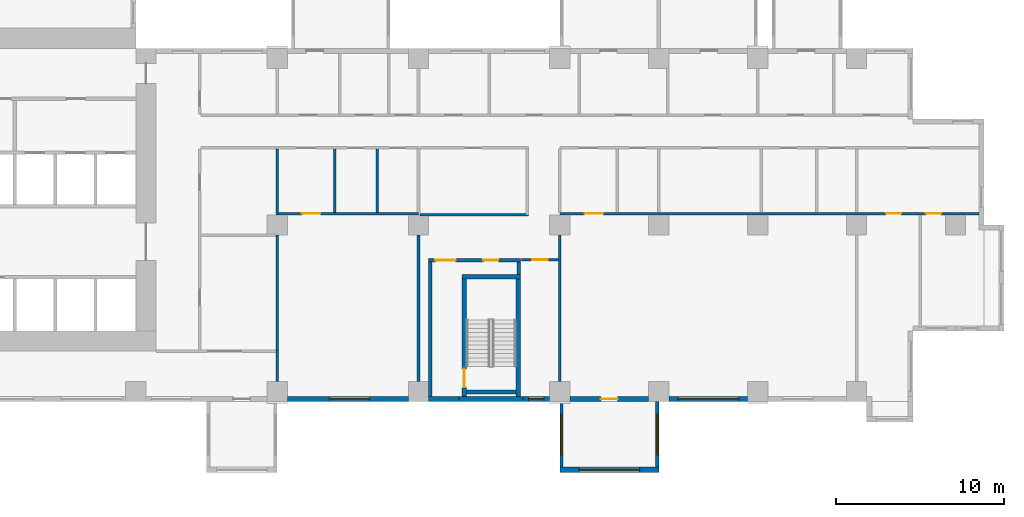
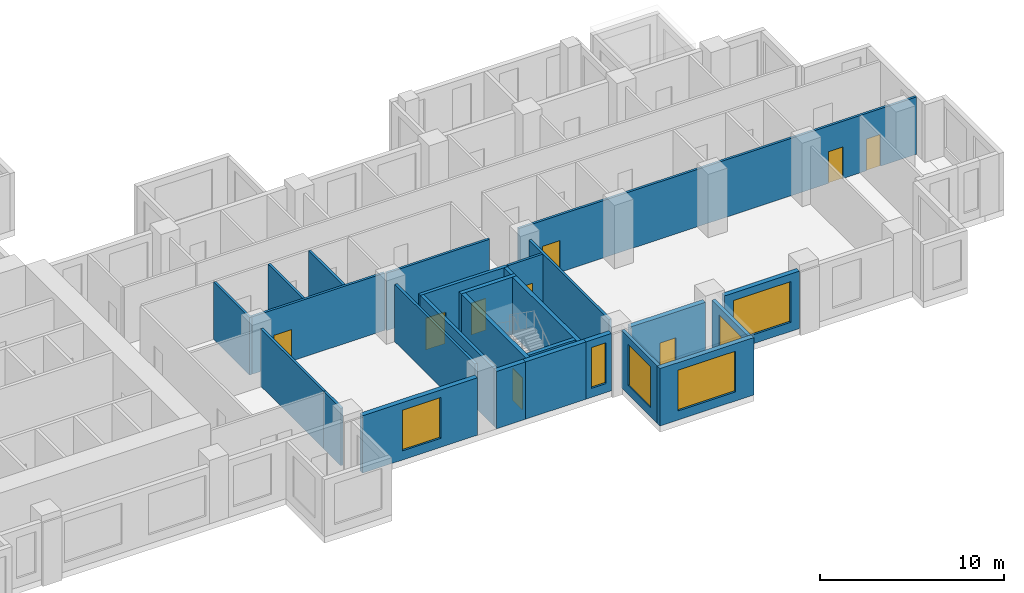
# One storey, part 4 of 14: 27 walls, 9 doors, 6 windows, 15 openings.
"""IFC4 building model written with IfcOpenShell, lengths in metres."""

from ifc_helpers import new_model, si_unit, direction, frame, frame_2d, origin, place, context, subcontext, project, spatial, rectangle, extrude, source, transform, mapped, material, layer, layer_set, type_object, element, fill, save


model = new_model("IFC4")

# Units and contexts
model_context = context("Model", 3, precision=1e-05, world=origin(), true_north=direction((0.0, 1.0)))
body_context = subcontext(model_context, "Body", "Model", "MODEL_VIEW")
ifc_project = project(units=[si_unit("LENGTHUNIT", "METRE"), si_unit("AREAUNIT", "SQUARE_METRE"), si_unit("VOLUMEUNIT", "CUBIC_METRE"), si_unit("PLANEANGLEUNIT", "RADIAN"), si_unit("MASSUNIT", "GRAM", prefix="KILO")], contexts=[model_context])

# Site, building, storey
site_placement = place(None, origin())
site = spatial("IfcSite", under=ifc_project, at=site_placement, CompositionType="ELEMENT")
building_placement = place(site_placement, origin())
building = spatial("IfcBuilding", under=site, at=building_placement, Name="Aurelian Terraces", CompositionType="ELEMENT")
storey_placement = place(building_placement, frame((0.0, 0.0, 78.3)))
storey = spatial("IfcBuildingStorey", under=building, at=storey_placement, Name="L16", CompositionType="ELEMENT", Elevation=78.3)

# Wall, opening, window
ifc_material_1 = material(Name="Terracotta rainscreen cladding", Category="masonry")
ifc_layer_1 = layer(ifc_material_1, 0.3)
ifc_layer_set_1 = layer_set([ifc_layer_1], Name="EW-300")
wall_type_1 = type_object("IfcWallType", Name="EW-300", PredefinedType="STANDARD", material=ifc_layer_set_1)
shared_shape_1 = source(origin(), body_context, "Body", "SweptSolid", [
    extrude(rectangle(XDim=7.2, YDim=0.3, at=frame_2d((3.6, 0.0))), origin(), (0.0, 0.0, 1.0), 3.8),
])
wall_1_placement = place(storey_placement, frame((30.0, 0.15, 0.0), z_axis=(0.0, 0.0, 1.0), x_axis=(1.0, 0.0, 0.0)))
wall_1 = element("IfcWall", 1, at=wall_1_placement, inside=storey, type_object=wall_type_1, Name="External wall L16 F01.5", PredefinedType="STANDARD", context=body_context, shape_type="MappedRepresentation", body=[
    mapped(shared_shape_1, transform((0.0, 0.0, 0.0), scale=1.0)),
])
shared_shape_2 = source(origin(), body_context, "Body", "SweptSolid", [
    extrude(rectangle(XDim=2.4, YDim=2.7, at=frame_2d((1.2, 1.35))), frame((0.0, 0.16, 0.0), z_axis=(0.0, -1.0, 0.0), x_axis=(1.0, 0.0, 0.0)), (0.0, 0.0, 1.0), 0.32),
])
opening_1_placement = place(wall_1_placement, frame((2.5, 0.0, 0.6)))
opening_1 = element("IfcOpeningElement", 2, at=opening_1_placement, cuts=wall_1, Name="Opening W2427", PredefinedType="OPENING", context=body_context, shape_type="MappedRepresentation", body=[
    mapped(shared_shape_2, transform((0.0, 0.0, 0.0), scale=1.0)),
])
ifc_material_2 = material(Name="Clear glazing", Category="glass")
window_type_1 = type_object("IfcWindowType", Name="W-2400x2700", PartitioningType="SINGLE_PANEL", PredefinedType="WINDOW", material=ifc_material_2)
shared_shape_3 = source(origin(), body_context, "Body", "SweptSolid", [
    extrude(rectangle(XDim=2.4, YDim=2.7, at=frame_2d((1.2, 1.35))), frame((0.0, 0.03, 0.0), z_axis=(0.0, -1.0, 0.0), x_axis=(1.0, 0.0, 0.0)), (0.0, 0.0, 1.0), 0.06),
])
window_1_placement = place(opening_1_placement, origin())
window_1 = element("IfcWindow", 3, at=window_1_placement, inside=storey, type_object=window_type_1, Name="Window L16 L16-F01-05-P0", OverallHeight=2.7, OverallWidth=2.4, PartitioningType="SINGLE_PANEL", PredefinedType="WINDOW", context=body_context, shape_type="MappedRepresentation", body=[
    mapped(shared_shape_3, transform((0.0, 0.0, 0.0), scale=1.0)),
])
fill(opening_1, window_1)

# Wall, opening, door
shared_shape_4 = source(origin(), body_context, "Body", "SweptSolid", [
    extrude(rectangle(XDim=4.68, YDim=0.3, at=frame_2d((2.34, 0.0))), origin(), (0.0, 0.0, 1.0), 3.8),
])
wall_2_placement = place(storey_placement, frame((46.8, 0.15, 0.0), z_axis=(0.0, 0.0, 1.0), x_axis=(1.0, 0.0, 0.0)))
wall_2 = element("IfcWall", 4, at=wall_2_placement, inside=storey, type_object=wall_type_1, Name="External wall L16 F01.7", PredefinedType="STANDARD", context=body_context, shape_type="MappedRepresentation", body=[
    mapped(shared_shape_4, transform((0.0, 0.0, 0.0), scale=1.0)),
])
shared_shape_5 = source(origin(), body_context, "Body", "SweptSolid", [
    extrude(rectangle(XDim=1.0, YDim=2.1, at=frame_2d((0.5, 1.05))), frame((0.0, 0.16, 0.0), z_axis=(0.0, -1.0, 0.0), x_axis=(1.0, 0.0, 0.0)), (0.0, 0.0, 1.0), 0.32),
])
opening_2_placement = place(wall_2_placement, frame((1.84, 0.0, 0.0)))
opening_2 = element("IfcOpeningElement", 5, at=opening_2_placement, cuts=wall_2, Name="Opening 816001", PredefinedType="OPENING", context=body_context, shape_type="MappedRepresentation", body=[
    mapped(shared_shape_5, transform((0.0, 0.0, 0.0), scale=1.0)),
])
ifc_material_3 = material(Name="Timber door leaf", Category="wood")
door_type_1 = type_object("IfcDoorType", Name="Room door 1000x2100 left", OperationType="SINGLE_SWING_LEFT", PredefinedType="DOOR", material=ifc_material_3)
shared_shape_6 = source(origin(), body_context, "Body", "SweptSolid", [
    extrude(rectangle(XDim=1.0, YDim=2.1, at=frame_2d((0.5, 1.05))), frame((0.0, 0.025, 0.0), z_axis=(0.0, -1.0, 0.0), x_axis=(1.0, 0.0, 0.0)), (0.0, 0.0, 1.0), 0.05),
])
door_1_placement = place(opening_2_placement, origin())
door_1 = element("IfcDoor", 6, at=door_1_placement, inside=storey, type_object=door_type_1, Name="Door 816001", OperationType="SINGLE_SWING_LEFT", OverallHeight=2.1, OverallWidth=1.0, PredefinedType="DOOR", context=body_context, shape_type="MappedRepresentation", body=[
    mapped(shared_shape_6, transform((0.0, 0.0, 0.0), scale=1.0)),
])
fill(opening_2, door_1)

# Wall, opening, window
wall_3_placement = place(storey_placement, frame((52.68, 0.15, 0.0), z_axis=(0.0, 0.0, 1.0), x_axis=(1.0, 0.0, 0.0)))
wall_3 = element("IfcWall", 7, at=wall_3_placement, inside=storey, type_object=wall_type_1, Name="External wall L16 F01.8", PredefinedType="STANDARD", context=body_context, shape_type="MappedRepresentation", body=[
    mapped(shared_shape_4, transform((0.0, 0.0, 0.0), scale=1.0)),
])
shared_shape_7 = source(origin(), body_context, "Body", "SweptSolid", [
    extrude(rectangle(XDim=3.6, YDim=2.7, at=frame_2d((1.8, 1.35))), frame((0.0, 0.16, 0.0), z_axis=(0.0, -1.0, 0.0), x_axis=(1.0, 0.0, 0.0)), (0.0, 0.0, 1.0), 0.32),
])
opening_3_placement = place(wall_3_placement, frame((0.54, 0.0, 0.6)))
opening_3 = element("IfcOpeningElement", 8, at=opening_3_placement, cuts=wall_3, Name="Opening W3627", PredefinedType="OPENING", context=body_context, shape_type="MappedRepresentation", body=[
    mapped(shared_shape_7, transform((0.0, 0.0, 0.0), scale=1.0)),
])
window_type_2 = type_object("IfcWindowType", Name="W-3600x2700", PartitioningType="SINGLE_PANEL", PredefinedType="WINDOW", material=ifc_material_2)
shared_shape_8 = source(origin(), body_context, "Body", "SweptSolid", [
    extrude(rectangle(XDim=3.6, YDim=2.7, at=frame_2d((1.8, 1.35))), frame((0.0, 0.03, 0.0), z_axis=(0.0, -1.0, 0.0), x_axis=(1.0, 0.0, 0.0)), (0.0, 0.0, 1.0), 0.06),
])
window_2_placement = place(opening_3_placement, origin())
window_2 = element("IfcWindow", 9, at=window_2_placement, inside=storey, type_object=window_type_2, Name="Window L16 L16-F01-08-0", OverallHeight=2.7, OverallWidth=3.6, PartitioningType="SINGLE_PANEL", PredefinedType="WINDOW", context=body_context, shape_type="MappedRepresentation", body=[
    mapped(shared_shape_8, transform((0.0, 0.0, 0.0), scale=1.0)),
])
fill(opening_3, window_2)

shared_shape_9 = source(origin(), body_context, "Body", "SweptSolid", [
    extrude(rectangle(XDim=1.6, YDim=0.3, at=frame_2d((0.8, 0.0))), origin(), (0.0, 0.0, 1.0), 3.8),
])
wall_4_placement = place(storey_placement, frame((44.0, 0.15, 0.0), z_axis=(0.0, 0.0, 1.0), x_axis=(1.0, 0.0, 0.0)))
wall_4 = element("IfcWall", 10, at=wall_4_placement, inside=storey, type_object=wall_type_1, Name="External wall L16 F01.6", PredefinedType="STANDARD", context=body_context, shape_type="MappedRepresentation", body=[
    mapped(shared_shape_9, transform((0.0, 0.0, 0.0), scale=1.0)),
])
shared_shape_10 = source(origin(), body_context, "Body", "SweptSolid", [
    extrude(rectangle(XDim=0.9, YDim=2.7, at=frame_2d((0.45, 1.35))), frame((0.0, 0.16, 0.0), z_axis=(0.0, -1.0, 0.0), x_axis=(1.0, 0.0, 0.0)), (0.0, 0.0, 1.0), 0.32),
])
opening_4_placement = place(wall_4_placement, frame((0.35, 0.0, 0.6)))
opening_4 = element("IfcOpeningElement", 11, at=opening_4_placement, cuts=wall_4, Name="Opening W0927", PredefinedType="OPENING", context=body_context, shape_type="MappedRepresentation", body=[
    mapped(shared_shape_10, transform((0.0, 0.0, 0.0), scale=1.0)),
])
window_type_3 = type_object("IfcWindowType", Name="W-900x2700", PartitioningType="SINGLE_PANEL", PredefinedType="WINDOW", material=ifc_material_2)
shared_shape_11 = source(origin(), body_context, "Body", "SweptSolid", [
    extrude(rectangle(XDim=0.9, YDim=2.7, at=frame_2d((0.45, 1.35))), frame((0.0, 0.03, 0.0), z_axis=(0.0, -1.0, 0.0), x_axis=(1.0, 0.0, 0.0)), (0.0, 0.0, 1.0), 0.06),
])
window_3_placement = place(opening_4_placement, origin())
window_3 = element("IfcWindow", 12, at=window_3_placement, inside=storey, type_object=window_type_3, Name="Window L16 L16-F01-06-P2", OverallHeight=2.7, OverallWidth=0.9, PartitioningType="SINGLE_PANEL", PredefinedType="WINDOW", context=body_context, shape_type="MappedRepresentation", body=[
    mapped(shared_shape_11, transform((0.0, 0.0, 0.0), scale=1.0)),
])
fill(opening_4, window_3)

# Walls
ifc_material_4 = material(Name="Concrete fc' 40 MPa", Category="concrete")
ifc_layer_2 = layer(ifc_material_4, 0.3)
ifc_layer_set_2 = layer_set([ifc_layer_2], Name="STAIR BAY WALL 300")
wall_type_2 = type_object("IfcWallType", Name="STAIR BAY WALL 300", PredefinedType="SOLIDWALL", material=ifc_layer_set_2)
shared_shape_12 = source(origin(), body_context, "Body", "SweptSolid", [
    extrude(rectangle(XDim=3.8, YDim=0.3, at=frame_2d((1.9, 0.0))), origin(), (0.0, 0.0, 1.0), 3.8),
])
wall_5_placement = place(storey_placement, frame((40.2, 0.15, 0.0), z_axis=(0.0, 0.0, 1.0), x_axis=(1.0, 0.0, 0.0)))
element("IfcWall", 13, at=wall_5_placement, inside=storey, type_object=wall_type_2, Name="Stair bay wall L16 F01.6", PredefinedType="SOLIDWALL", context=body_context, shape_type="MappedRepresentation", body=[
    mapped(shared_shape_12, transform((0.0, 0.0, 0.0), scale=1.0)),
])
shared_shape_13 = source(origin(), body_context, "Body", "SweptSolid", [
    extrude(rectangle(XDim=1.8, YDim=0.3, at=frame_2d((0.9, 0.0))), origin(), (0.0, 0.0, 1.0), 3.8),
])
wall_6_placement = place(storey_placement, frame((38.4, 0.15, 0.0), z_axis=(0.0, 0.0, 1.0), x_axis=(1.0, 0.0, 0.0)))
element("IfcWall", 14, at=wall_6_placement, inside=storey, type_object=wall_type_1, Name="External wall L16 F01.6", PredefinedType="STANDARD", context=body_context, shape_type="MappedRepresentation", body=[
    mapped(shared_shape_13, transform((0.0, 0.0, 0.0), scale=1.0)),
])

# Wall, opening, window
ifc_layer_3 = layer(ifc_material_4, 0.2)
ifc_layer_set_3 = layer_set([ifc_layer_3], Name="BOX BEARING WALL 200")
wall_type_3 = type_object("IfcWallType", Name="BOX BEARING WALL 200", PredefinedType="SOLIDWALL", material=ifc_layer_set_3)
shared_shape_14 = source(origin(), body_context, "Body", "SweptSolid", [
    extrude(rectangle(XDim=3.9, YDim=0.2, at=frame_2d((1.95, 0.0))), origin(), (0.0, 0.0, 1.0), 3.8),
])
wall_7_placement = place(storey_placement, frame((46.3, 0.0, 0.0), z_axis=(0.0, 0.0, 1.0), x_axis=(0.0, -1.0, 0.0)))
wall_7 = element("IfcWall", 15, at=wall_7_placement, inside=storey, type_object=wall_type_3, Name="Box return L16 J16.1", PredefinedType="SOLIDWALL", context=body_context, shape_type="MappedRepresentation", body=[
    mapped(shared_shape_14, transform((0.0, 0.0, 0.0), scale=1.0)),
])
shared_shape_15 = source(origin(), body_context, "Body", "SweptSolid", [
    extrude(rectangle(XDim=2.4, YDim=2.7, at=frame_2d((1.2, 1.35))), frame((0.0, 0.11, 0.0), z_axis=(0.0, -1.0, 0.0), x_axis=(1.0, 0.0, 0.0)), (0.0, 0.0, 1.0), 0.22),
])
opening_5_placement = place(wall_7_placement, frame((0.75, 0.0, 0.6)))
opening_5 = element("IfcOpeningElement", 16, at=opening_5_placement, cuts=wall_7, Name="Opening W2427", PredefinedType="OPENING", context=body_context, shape_type="MappedRepresentation", body=[
    mapped(shared_shape_15, transform((0.0, 0.0, 0.0), scale=1.0)),
])
window_4_placement = place(opening_5_placement, origin())
window_4 = element("IfcWindow", 17, at=window_4_placement, inside=storey, type_object=window_type_1, Name="Window L16 J16-S1", OverallHeight=2.7, OverallWidth=2.4, PartitioningType="SINGLE_PANEL", PredefinedType="WINDOW", context=body_context, shape_type="MappedRepresentation", body=[
    mapped(shared_shape_3, transform((0.0, 0.0, 0.0), scale=1.0)),
])
fill(opening_5, window_4)

wall_8_placement = place(storey_placement, frame((51.98, 0.0, 0.0), z_axis=(0.0, 0.0, 1.0), x_axis=(0.0, -1.0, 0.0)))
wall_8 = element("IfcWall", 18, at=wall_8_placement, inside=storey, type_object=wall_type_3, Name="Box return L16 J16.2", PredefinedType="SOLIDWALL", context=body_context, shape_type="MappedRepresentation", body=[
    mapped(shared_shape_14, transform((0.0, 0.0, 0.0), scale=1.0)),
])
opening_6_placement = place(wall_8_placement, frame((0.75, 0.0, 0.6)))
opening_6 = element("IfcOpeningElement", 19, at=opening_6_placement, cuts=wall_8, Name="Opening W2427", PredefinedType="OPENING", context=body_context, shape_type="MappedRepresentation", body=[
    mapped(shared_shape_15, transform((0.0, 0.0, 0.0), scale=1.0)),
])
window_5_placement = place(opening_6_placement, origin())
window_5 = element("IfcWindow", 20, at=window_5_placement, inside=storey, type_object=window_type_1, Name="Window L16 J16-S2", OverallHeight=2.7, OverallWidth=2.4, PartitioningType="SINGLE_PANEL", PredefinedType="WINDOW", context=body_context, shape_type="MappedRepresentation", body=[
    mapped(shared_shape_3, transform((0.0, 0.0, 0.0), scale=1.0)),
])
fill(opening_6, window_5)

ifc_layer_4 = layer(ifc_material_4, 0.3)
ifc_layer_set_4 = layer_set([ifc_layer_4], Name="BOX BEARING WALL 300")
wall_type_4 = type_object("IfcWallType", Name="BOX BEARING WALL 300", PredefinedType="SOLIDWALL", material=ifc_layer_set_4)
shared_shape_16 = source(origin(), body_context, "Body", "SweptSolid", [
    extrude(rectangle(XDim=5.88, YDim=0.3, at=frame_2d((2.94, 0.0))), origin(), (0.0, 0.0, 1.0), 3.8),
])
wall_9_placement = place(storey_placement, frame((46.2, -4.05, 0.0), z_axis=(0.0, 0.0, 1.0), x_axis=(1.0, 0.0, 0.0)))
wall_9 = element("IfcWall", 21, at=wall_9_placement, inside=storey, type_object=wall_type_4, Name="Box wall L16 J16", PredefinedType="SOLIDWALL", context=body_context, shape_type="MappedRepresentation", body=[
    mapped(shared_shape_16, transform((0.0, 0.0, 0.0), scale=1.0)),
])
opening_7_placement = place(wall_9_placement, frame((1.14, 0.0, 0.6)))
opening_7 = element("IfcOpeningElement", 22, at=opening_7_placement, cuts=wall_9, Name="Opening W3627", PredefinedType="OPENING", context=body_context, shape_type="MappedRepresentation", body=[
    mapped(shared_shape_7, transform((0.0, 0.0, 0.0), scale=1.0)),
])
window_6_placement = place(opening_7_placement, origin())
window_6 = element("IfcWindow", 23, at=window_6_placement, inside=storey, type_object=window_type_2, Name="Window L16 J16-F1", OverallHeight=2.7, OverallWidth=3.6, PartitioningType="SINGLE_PANEL", PredefinedType="WINDOW", context=body_context, shape_type="MappedRepresentation", body=[
    mapped(shared_shape_8, transform((0.0, 0.0, 0.0), scale=1.0)),
])
fill(opening_7, window_6)

# Wall, opening, door
ifc_layer_5 = layer(ifc_material_4, 0.25)
ifc_layer_set_5 = layer_set([ifc_layer_5], Name="Stair enclosure wall 250")
wall_type_5 = type_object("IfcWallType", Name="Stair enclosure wall 250", PredefinedType="SOLIDWALL", material=ifc_layer_set_5)
shared_shape_17 = source(origin(), body_context, "Body", "SweptSolid", [
    extrude(rectangle(XDim=7.0, YDim=0.25, at=frame_2d((3.5, 0.0))), origin(), (0.0, 0.0, 1.0), 3.8),
])
wall_10_placement = place(storey_placement, frame((40.525, 0.3, 0.0), z_axis=(0.0, 0.0, 1.0), x_axis=(0.0, 1.0, 0.0)))
wall_10 = element("IfcWall", 24, at=wall_10_placement, inside=storey, type_object=wall_type_5, Name="L16 core wall ST-S2-W", PredefinedType="SOLIDWALL", context=body_context, shape_type="MappedRepresentation", body=[
    mapped(shared_shape_17, transform((0.0, 0.0, 0.0), scale=1.0)),
])
shared_shape_18 = source(origin(), body_context, "Body", "SweptSolid", [
    extrude(rectangle(XDim=1.1, YDim=2.1, at=frame_2d((0.55, 1.05))), frame((0.0, 0.135, 0.0), z_axis=(0.0, -1.0, 0.0), x_axis=(1.0, 0.0, 0.0)), (0.0, 0.0, 1.0), 0.27),
])
opening_8_placement = place(wall_10_placement, frame((0.55, 0.0, 0.0)))
opening_8 = element("IfcOpeningElement", 25, at=opening_8_placement, cuts=wall_10, Name="Opening 61914", PredefinedType="OPENING", context=body_context, shape_type="MappedRepresentation", body=[
    mapped(shared_shape_18, transform((0.0, 0.0, 0.0), scale=1.0)),
])
ifc_material_5 = material(Name="Steel door leaf", Category="steel")
door_type_2 = type_object("IfcDoorType", Name="Core fire door 1100x2100 right", OperationType="SINGLE_SWING_RIGHT", PredefinedType="DOOR", material=ifc_material_5)
shared_shape_19 = source(origin(), body_context, "Body", "SweptSolid", [
    extrude(rectangle(XDim=1.1, YDim=2.1, at=frame_2d((0.55, 1.05))), frame((0.0, 0.025, 0.0), z_axis=(0.0, -1.0, 0.0), x_axis=(1.0, 0.0, 0.0)), (0.0, 0.0, 1.0), 0.05),
])
door_2_placement = place(opening_8_placement, origin())
door_2 = element("IfcDoor", 26, at=door_2_placement, inside=storey, type_object=door_type_2, Name="Stair door 61914", OperationType="SINGLE_SWING_RIGHT", OverallHeight=2.1, OverallWidth=1.1, PredefinedType="DOOR", context=body_context, shape_type="MappedRepresentation", body=[
    mapped(shared_shape_19, transform((0.0, 0.0, 0.0), scale=1.0)),
])
fill(opening_8, door_2)

# Walls
wall_11_placement = place(storey_placement, frame((43.725, 0.3, 0.0), z_axis=(0.0, 0.0, 1.0), x_axis=(0.0, 1.0, 0.0)))
element("IfcWall", 27, at=wall_11_placement, inside=storey, type_object=wall_type_5, Name="L16 core wall ST-S2-E", PredefinedType="SOLIDWALL", context=body_context, shape_type="MappedRepresentation", body=[
    mapped(shared_shape_17, transform((0.0, 0.0, 0.0), scale=1.0)),
])
shared_shape_20 = source(origin(), body_context, "Body", "SweptSolid", [
    extrude(rectangle(XDim=3.45, YDim=0.25, at=frame_2d((1.725, 0.0))), origin(), (0.0, 0.0, 1.0), 3.8),
])
wall_12_placement = place(storey_placement, frame((40.4, 7.425, 0.0), z_axis=(0.0, 0.0, 1.0), x_axis=(1.0, 0.0, 0.0)))
element("IfcWall", 28, at=wall_12_placement, inside=storey, type_object=wall_type_5, Name="L16 core wall ST-S2-N", PredefinedType="SOLIDWALL", context=body_context, shape_type="MappedRepresentation", body=[
    mapped(shared_shape_20, transform((0.0, 0.0, 0.0), scale=1.0)),
])
shared_shape_21 = source(origin(), body_context, "Body", "SweptSolid", [
    extrude(rectangle(XDim=2.95, YDim=0.25, at=frame_2d((1.475, 0.0))), origin(), (0.0, 0.0, 1.0), 3.8),
])
wall_13_placement = place(storey_placement, frame((40.65, 0.575, 0.0), z_axis=(0.0, 0.0, 1.0), x_axis=(1.0, 0.0, 0.0)))
element("IfcWall", 29, at=wall_13_placement, inside=storey, type_object=wall_type_5, Name="L16 core wall ST-S2-SS", PredefinedType="SOLIDWALL", context=body_context, shape_type="MappedRepresentation", body=[
    mapped(shared_shape_21, transform((0.0, 0.0, 0.0), scale=1.0)),
])
ifc_material_6 = material(Name="Gypsum board on steel studs", Category="steel")
ifc_layer_6 = layer(ifc_material_6, 0.2)
ifc_layer_set_6 = layer_set([ifc_layer_6], Name="Core partition 200")
wall_type_6 = type_object("IfcWallType", Name="Core partition 200", PredefinedType="PARTITIONING", material=ifc_layer_set_6)
shared_shape_22 = source(origin(), body_context, "Body", "SweptSolid", [
    extrude(rectangle(XDim=8.0, YDim=0.2, at=frame_2d((4.0, 0.0))), origin(), (0.0, 0.0, 1.0), 3.8),
])
wall_14_placement = place(storey_placement, frame((38.5, 0.3, 0.0), z_axis=(0.0, 0.0, 1.0), x_axis=(0.0, 1.0, 0.0)))
element("IfcWall", 30, at=wall_14_placement, inside=storey, type_object=wall_type_6, Name="L16 core wall ST-S2-VW", PredefinedType="PARTITIONING", context=body_context, shape_type="MappedRepresentation", body=[
    mapped(shared_shape_22, transform((0.0, 0.0, 0.0), scale=1.0)),
])

# Wall, openings, doors
shared_shape_23 = source(origin(), body_context, "Body", "SweptSolid", [
    extrude(rectangle(XDim=5.45, YDim=0.2, at=frame_2d((2.725, 0.0))), origin(), (0.0, 0.0, 1.0), 3.8),
])
wall_15_placement = place(storey_placement, frame((38.4, 8.4, 0.0), z_axis=(0.0, 0.0, 1.0), x_axis=(1.0, 0.0, 0.0)))
wall_15 = element("IfcWall", 31, at=wall_15_placement, inside=storey, type_object=wall_type_6, Name="L16 core wall ST-S2-BN", PredefinedType="PARTITIONING", context=body_context, shape_type="MappedRepresentation", body=[
    mapped(shared_shape_23, transform((0.0, 0.0, 0.0), scale=1.0)),
])
shared_shape_24 = source(origin(), body_context, "Body", "SweptSolid", [
    extrude(rectangle(XDim=1.2, YDim=2.1, at=frame_2d((0.6, 1.05))), frame((0.0, 0.11, 0.0), z_axis=(0.0, -1.0, 0.0), x_axis=(1.0, 0.0, 0.0)), (0.0, 0.0, 1.0), 0.22),
])
opening_9_placement = place(wall_15_placement, frame((0.4, 0.0, 0.0)))
opening_9 = element("IfcOpeningElement", 32, at=opening_9_placement, cuts=wall_15, Name="Opening 61915", PredefinedType="OPENING", context=body_context, shape_type="MappedRepresentation", body=[
    mapped(shared_shape_24, transform((0.0, 0.0, 0.0), scale=1.0)),
])
shared_shape_25 = source(origin(), body_context, "Body", "SweptSolid", [
    extrude(rectangle(XDim=0.9, YDim=2.1, at=frame_2d((0.45, 1.05))), frame((0.0, 0.11, 0.0), z_axis=(0.0, -1.0, 0.0), x_axis=(1.0, 0.0, 0.0)), (0.0, 0.0, 1.0), 0.22),
])
opening_10_placement = place(wall_15_placement, frame((3.25, 0.0, 0.0)))
opening_10 = element("IfcOpeningElement", 33, at=opening_10_placement, cuts=wall_15, Name="Opening 61916", PredefinedType="OPENING", context=body_context, shape_type="MappedRepresentation", body=[
    mapped(shared_shape_25, transform((0.0, 0.0, 0.0), scale=1.0)),
])
door_type_3 = type_object("IfcDoorType", Name="Core riser door 900x2100 right", OperationType="SINGLE_SWING_RIGHT", PredefinedType="DOOR", material=ifc_material_5)
shared_shape_26 = source(origin(), body_context, "Body", "SweptSolid", [
    extrude(rectangle(XDim=0.9, YDim=2.1, at=frame_2d((0.45, 1.05))), frame((0.0, 0.025, 0.0), z_axis=(0.0, -1.0, 0.0), x_axis=(1.0, 0.0, 0.0)), (0.0, 0.0, 1.0), 0.05),
])
door_3_placement = place(opening_10_placement, origin())
door_3 = element("IfcDoor", 34, at=door_3_placement, inside=storey, type_object=door_type_3, Name="Riser door 61916", OperationType="SINGLE_SWING_RIGHT", OverallHeight=2.1, OverallWidth=0.9, PredefinedType="DOOR", context=body_context, shape_type="MappedRepresentation", body=[
    mapped(shared_shape_26, transform((0.0, 0.0, 0.0), scale=1.0)),
])
fill(opening_10, door_3)
door_type_4 = type_object("IfcDoorType", Name="Core fire door 1200x2100", OperationType="SINGLE_SWING_LEFT", PredefinedType="DOOR", material=ifc_material_5)
shared_shape_27 = source(origin(), body_context, "Body", "SweptSolid", [
    extrude(rectangle(XDim=1.2, YDim=2.1, at=frame_2d((0.6, 1.05))), frame((0.0, 0.025, 0.0), z_axis=(0.0, -1.0, 0.0), x_axis=(1.0, 0.0, 0.0)), (0.0, 0.0, 1.0), 0.05),
])
door_4_placement = place(opening_9_placement, origin())
door_4 = element("IfcDoor", 35, at=door_4_placement, inside=storey, type_object=door_type_4, Name="Vestibule door 61915", OperationType="SINGLE_SWING_LEFT", OverallHeight=2.1, OverallWidth=1.2, PredefinedType="DOOR", context=body_context, shape_type="MappedRepresentation", body=[
    mapped(shared_shape_27, transform((0.0, 0.0, 0.0), scale=1.0)),
])
fill(opening_9, door_4)

# Walls
shared_shape_28 = source(origin(), body_context, "Body", "SweptSolid", [
    extrude(rectangle(XDim=0.75, YDim=0.2, at=frame_2d((0.375, 0.0))), origin(), (0.0, 0.0, 1.0), 3.8),
])
wall_16_placement = place(storey_placement, frame((43.75, 7.55, 0.0), z_axis=(0.0, 0.0, 1.0), x_axis=(0.0, 1.0, 0.0)))
element("IfcWall", 36, at=wall_16_placement, inside=storey, type_object=wall_type_6, Name="L16 core wall ST-S2-RE", PredefinedType="PARTITIONING", context=body_context, shape_type="MappedRepresentation", body=[
    mapped(shared_shape_28, transform((0.0, 0.0, 0.0), scale=1.0)),
])
ifc_layer_7 = layer(ifc_material_6, 0.15)
ifc_layer_set_7 = layer_set([ifc_layer_7], Name="Partition 150")
wall_type_7 = type_object("IfcWallType", Name="Partition 150", PredefinedType="PARTITIONING", material=ifc_layer_set_7)
shared_shape_29 = source(origin(), body_context, "Body", "SweptSolid", [
    extrude(rectangle(XDim=6.45, YDim=0.15, at=frame_2d((3.225, 0.0))), origin(), (0.0, 0.0, 1.0), 3.8),
])
wall_17_placement = place(storey_placement, frame((37.875, 11.1, 0.0), z_axis=(0.0, 0.0, 1.0), x_axis=(1.0, 0.0, 0.0)))
element("IfcWall", 37, at=wall_17_placement, inside=storey, type_object=wall_type_7, Name="Partition", PredefinedType="PARTITIONING", context=body_context, shape_type="MappedRepresentation", body=[
    mapped(shared_shape_29, transform((0.0, 0.0, 0.0), scale=1.0)),
])
shared_shape_30 = source(origin(), body_context, "Body", "SweptSolid", [
    extrude(rectangle(XDim=3.75, YDim=0.15, at=frame_2d((1.875, 0.0))), origin(), (0.0, 0.0, 1.0), 3.8),
])
for number, where, z_axis, x_axis, name in (
    (38, (32.8088, 11.25, 0.0), (0.0, 0.0, 1.0), (0.0, 1.0, 0.0), "Partition"),
    (39, (35.3388, 11.25, 0.0), (0.0, 0.0, 1.0), (0.0, 1.0, 0.0), "Partition"),
):
    element("IfcWall", number, at=place(storey_placement, frame(where, z_axis=z_axis, x_axis=x_axis)), inside=storey, type_object=wall_type_7, Name=name, PredefinedType="PARTITIONING", context=body_context, shape_type="MappedRepresentation", body=[
        mapped(shared_shape_30, transform((0.0, 0.0, 0.0), scale=1.0)),
    ])
shared_shape_31 = source(origin(), body_context, "Body", "SweptSolid", [
    extrude(rectangle(XDim=8.702, YDim=0.15, at=frame_2d((4.351, 0.0))), origin(), (0.0, 0.0, 1.0), 3.8),
])
for number, where, z_axis, x_axis, name in (
    (40, (37.8, 1.199, 0.0), (0.0, 0.0, 1.0), (0.0, 1.0, 0.0), "Partition"),
    (41, (46.2, 1.199, 0.0), (0.0, 0.0, 1.0), (0.0, 1.0, 0.0), "Partition"),
):
    element("IfcWall", number, at=place(storey_placement, frame(where, z_axis=z_axis, x_axis=x_axis)), inside=storey, type_object=wall_type_7, Name=name, PredefinedType="PARTITIONING", context=body_context, shape_type="MappedRepresentation", body=[
        mapped(shared_shape_31, transform((0.0, 0.0, 0.0), scale=1.0)),
    ])

# Wall, opening, door
shared_shape_32 = source(origin(), body_context, "Body", "SweptSolid", [
    extrude(rectangle(XDim=8.4, YDim=0.15, at=frame_2d((4.2, 0.0))), origin(), (0.0, 0.0, 1.0), 3.8),
])
wall_18_placement = place(storey_placement, frame((37.8, 11.175, 0.0), z_axis=(0.0, 0.0, 1.0), x_axis=(-1.0, 0.0, 0.0)))
wall_18 = element("IfcWall", 42, at=wall_18_placement, inside=storey, type_object=wall_type_7, Name="Partition", PredefinedType="PARTITIONING", context=body_context, shape_type="MappedRepresentation", body=[
    mapped(shared_shape_32, transform((0.0, 0.0, 0.0), scale=1.0)),
])
shared_shape_33 = source(origin(), body_context, "Body", "SweptSolid", [
    extrude(rectangle(XDim=1.1, YDim=2.1, at=frame_2d((0.55, 1.05))), frame((0.0, 0.085, 0.0), z_axis=(0.0, -1.0, 0.0), x_axis=(1.0, 0.0, 0.0)), (0.0, 0.0, 1.0), 0.17),
])
opening_11_placement = place(wall_18_placement, frame((5.8331, 0.0, 0.0)))
opening_11 = element("IfcOpeningElement", 43, at=opening_11_placement, cuts=wall_18, Name="Opening 716008", PredefinedType="OPENING", context=body_context, shape_type="MappedRepresentation", body=[
    mapped(shared_shape_33, transform((0.0, 0.0, 0.0), scale=1.0)),
])
door_type_5 = type_object("IfcDoorType", Name="Room door 1100x2100 left", OperationType="SINGLE_SWING_LEFT", PredefinedType="DOOR", material=ifc_material_3)
door_5_placement = place(opening_11_placement, origin())
door_5 = element("IfcDoor", 44, at=door_5_placement, inside=storey, type_object=door_type_5, Name="Door 716008", OperationType="SINGLE_SWING_LEFT", OverallHeight=2.1, OverallWidth=1.1, PredefinedType="DOOR", context=body_context, shape_type="MappedRepresentation", body=[
    mapped(shared_shape_19, transform((0.0, 0.0, 0.0), scale=1.0)),
])
fill(opening_11, door_5)

# Wall, openings, doors
shared_shape_34 = source(origin(), body_context, "Body", "SweptSolid", [
    extrude(rectangle(XDim=24.9, YDim=0.15, at=frame_2d((12.45, 0.0))), origin(), (0.0, 0.0, 1.0), 3.8),
])
wall_19_placement = place(storey_placement, frame((71.1, 11.175, 0.0), z_axis=(0.0, 0.0, 1.0), x_axis=(-1.0, 0.0, 0.0)))
wall_19 = element("IfcWall", 45, at=wall_19_placement, inside=storey, type_object=wall_type_7, Name="Partition", PredefinedType="PARTITIONING", context=body_context, shape_type="MappedRepresentation", body=[
    mapped(shared_shape_34, transform((0.0, 0.0, 0.0), scale=1.0)),
])
opening_12_placement = place(wall_19_placement, frame((22.3317, 0.0, 0.0)))
opening_12 = element("IfcOpeningElement", 46, at=opening_12_placement, cuts=wall_19, Name="Opening 716012", PredefinedType="OPENING", context=body_context, shape_type="MappedRepresentation", body=[
    mapped(shared_shape_33, transform((0.0, 0.0, 0.0), scale=1.0)),
])
shared_shape_35 = source(origin(), body_context, "Body", "SweptSolid", [
    extrude(rectangle(XDim=0.9, YDim=2.1, at=frame_2d((0.45, 1.05))), frame((0.0, 0.085, 0.0), z_axis=(0.0, -1.0, 0.0), x_axis=(1.0, 0.0, 0.0)), (0.0, 0.0, 1.0), 0.17),
])
opening_13_placement = place(wall_19_placement, frame((4.6075, 0.0, 0.0)))
opening_13 = element("IfcOpeningElement", 47, at=opening_13_placement, cuts=wall_19, Name="Opening 716018", PredefinedType="OPENING", context=body_context, shape_type="MappedRepresentation", body=[
    mapped(shared_shape_35, transform((0.0, 0.0, 0.0), scale=1.0)),
])
opening_14_placement = place(wall_19_placement, frame((2.2425, 0.0, 0.0)))
opening_14 = element("IfcOpeningElement", 48, at=opening_14_placement, cuts=wall_19, Name="Opening 716019", PredefinedType="OPENING", context=body_context, shape_type="MappedRepresentation", body=[
    mapped(shared_shape_35, transform((0.0, 0.0, 0.0), scale=1.0)),
])
door_type_6 = type_object("IfcDoorType", Name="Room door 900x2100 left", OperationType="SINGLE_SWING_LEFT", PredefinedType="DOOR", material=ifc_material_3)
door_6_placement = place(opening_13_placement, origin())
door_6 = element("IfcDoor", 49, at=door_6_placement, inside=storey, type_object=door_type_6, Name="Door 716018", OperationType="SINGLE_SWING_LEFT", OverallHeight=2.1, OverallWidth=0.9, PredefinedType="DOOR", context=body_context, shape_type="MappedRepresentation", body=[
    mapped(shared_shape_26, transform((0.0, 0.0, 0.0), scale=1.0)),
])
fill(opening_13, door_6)
door_type_7 = type_object("IfcDoorType", Name="Room door 900x2100 right", OperationType="SINGLE_SWING_RIGHT", PredefinedType="DOOR", material=ifc_material_3)
door_7_placement = place(opening_14_placement, origin())
door_7 = element("IfcDoor", 50, at=door_7_placement, inside=storey, type_object=door_type_7, Name="Door 716019", OperationType="SINGLE_SWING_RIGHT", OverallHeight=2.1, OverallWidth=0.9, PredefinedType="DOOR", context=body_context, shape_type="MappedRepresentation", body=[
    mapped(shared_shape_26, transform((0.0, 0.0, 0.0), scale=1.0)),
])
fill(opening_14, door_7)
door_8_placement = place(opening_12_placement, origin())
door_8 = element("IfcDoor", 51, at=door_8_placement, inside=storey, type_object=door_type_5, Name="Door 716012", OperationType="SINGLE_SWING_LEFT", OverallHeight=2.1, OverallWidth=1.1, PredefinedType="DOOR", context=body_context, shape_type="MappedRepresentation", body=[
    mapped(shared_shape_19, transform((0.0, 0.0, 0.0), scale=1.0)),
])
fill(opening_12, door_8)

# Walls
shared_shape_36 = source(origin(), body_context, "Body", "SweptSolid", [
    extrude(rectangle(XDim=6.826, YDim=0.15, at=frame_2d((3.413, 0.0))), origin(), (0.0, 0.0, 1.0), 3.8),
])
wall_20_placement = place(storey_placement, frame((29.4, 3.075, 0.0), z_axis=(0.0, 0.0, 1.0), x_axis=(0.0, 1.0, 0.0)))
element("IfcWall", 52, at=wall_20_placement, inside=storey, type_object=wall_type_7, Name="Partition", PredefinedType="PARTITIONING", context=body_context, shape_type="MappedRepresentation", body=[
    mapped(shared_shape_36, transform((0.0, 0.0, 0.0), scale=1.0)),
])
shared_shape_37 = source(origin(), body_context, "Body", "SweptSolid", [
    extrude(rectangle(XDim=3.901, YDim=0.15, at=frame_2d((1.9505, 0.0))), origin(), (0.0, 0.0, 1.0), 3.8),
])
wall_21_placement = place(storey_placement, frame((29.4, 11.099, 0.0), z_axis=(0.0, 0.0, 1.0), x_axis=(0.0, 1.0, 0.0)))
element("IfcWall", 53, at=wall_21_placement, inside=storey, type_object=wall_type_7, Name="Partition", PredefinedType="PARTITIONING", context=body_context, shape_type="MappedRepresentation", body=[
    mapped(shared_shape_37, transform((0.0, 0.0, 0.0), scale=1.0)),
])

# Wall, opening, door
shared_shape_38 = source(origin(), body_context, "Body", "SweptSolid", [
    extrude(rectangle(XDim=2.2, YDim=0.15, at=frame_2d((1.1, 0.0))), origin(), (0.0, 0.0, 1.0), 3.8),
])
wall_22_placement = place(storey_placement, frame((46.125, 8.425, 0.0), z_axis=(0.0, 0.0, 1.0), x_axis=(-1.0, 0.0, 0.0)))
wall_22 = element("IfcWall", 54, at=wall_22_placement, inside=storey, type_object=wall_type_7, Name="Partition", PredefinedType="PARTITIONING", context=body_context, shape_type="MappedRepresentation", body=[
    mapped(shared_shape_38, transform((0.0, 0.0, 0.0), scale=1.0)),
])
opening_15_placement = place(wall_22_placement, frame((0.65, 0.0, 0.0)))
opening_15 = element("IfcOpeningElement", 55, at=opening_15_placement, cuts=wall_22, Name="Opening 716006", PredefinedType="OPENING", context=body_context, shape_type="MappedRepresentation", body=[
    mapped(shared_shape_35, transform((0.0, 0.0, 0.0), scale=1.0)),
])
door_9_placement = place(opening_15_placement, origin())
door_9 = element("IfcDoor", 56, at=door_9_placement, inside=storey, type_object=door_type_6, Name="Door 716006", OperationType="SINGLE_SWING_LEFT", OverallHeight=2.1, OverallWidth=0.9, PredefinedType="DOOR", context=body_context, shape_type="MappedRepresentation", body=[
    mapped(shared_shape_26, transform((0.0, 0.0, 0.0), scale=1.0)),
])
fill(opening_15, door_9)

# Wall
shared_shape_39 = source(origin(), body_context, "Body", "SweptSolid", [
    extrude(rectangle(XDim=1.856, YDim=0.15, at=frame_2d((0.928, 0.0))), origin(), (0.0, 0.0, 1.0), 3.8),
])
wall_23_placement = place(storey_placement, frame((29.4, 1.199, 0.0), z_axis=(0.0, 0.0, 1.0), x_axis=(0.0, 1.0, 0.0)))
element("IfcWall", 57, at=wall_23_placement, inside=storey, type_object=wall_type_7, Name="Partition", PredefinedType="PARTITIONING", context=body_context, shape_type="MappedRepresentation", body=[
    mapped(shared_shape_39, transform((0.0, 0.0, 0.0), scale=1.0)),
])

save(model, "model.ifc")
